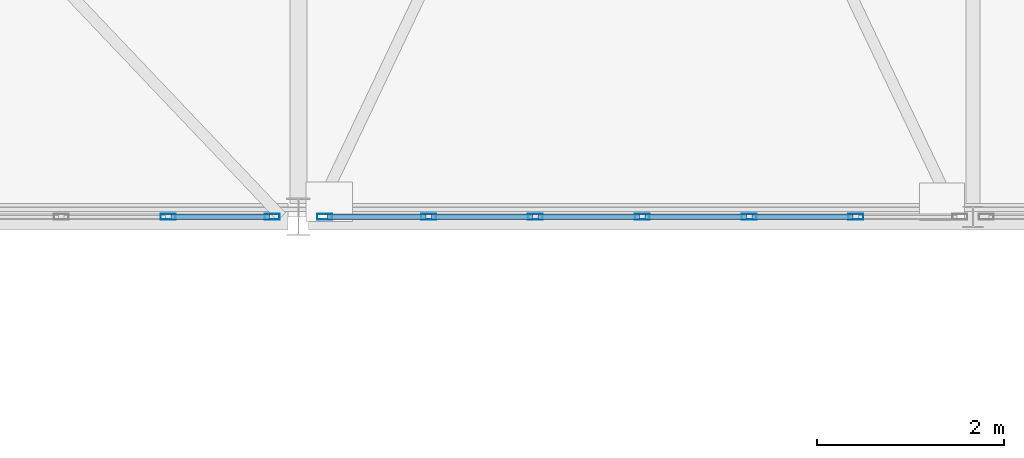
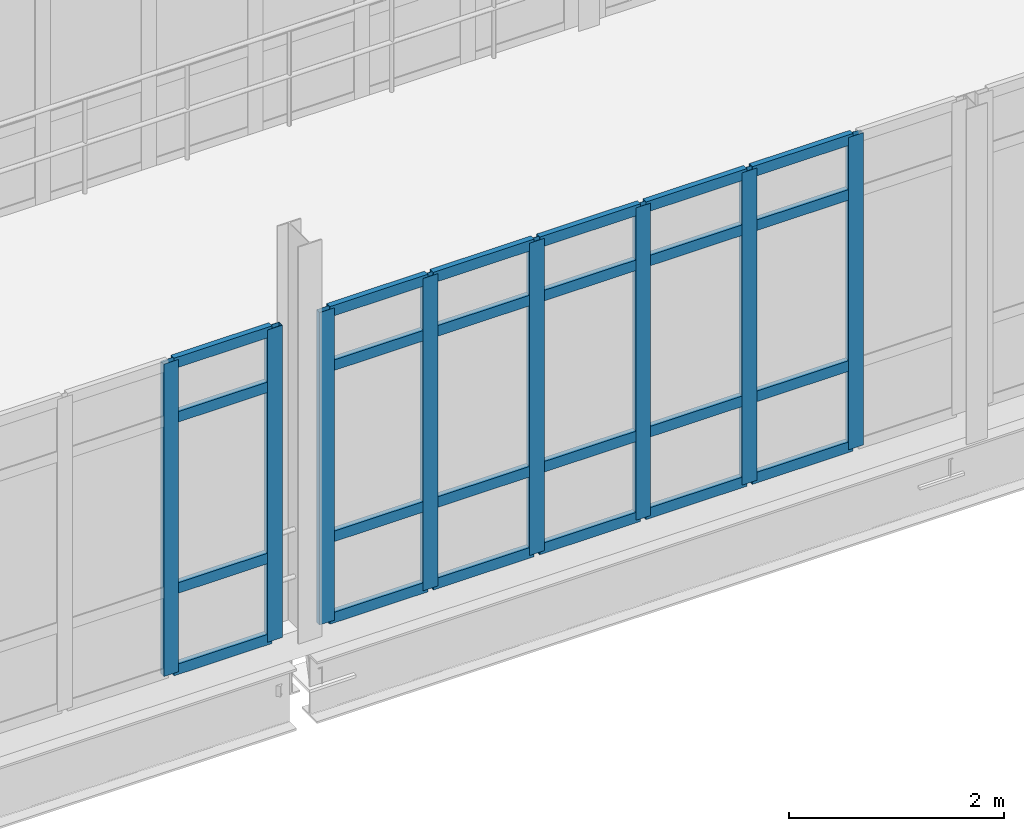
# One storey, part 42 of 116: 32 members, 2 elements without a shape of their own.
"""IFC4 building model written with IfcOpenShell, lengths in metres."""

from ifc_helpers import new_model, si_unit, direction, frame, origin, origin_2d, place, context, subcontext, project, spatial, hollow_rectangle, extrude, material, material_profile, profile_set, type_object, element, aggregate, save


model = new_model("IFC4")

# Units and contexts
model_context = context("Model", 3, precision=1e-05, world=origin(), true_north=direction((0.0, 1.0)))
body_context = subcontext(model_context, "Body", "Model", "MODEL_VIEW")
ifc_project = project(units=[si_unit("LENGTHUNIT", "METRE"), si_unit("AREAUNIT", "SQUARE_METRE"), si_unit("VOLUMEUNIT", "CUBIC_METRE"), si_unit("PLANEANGLEUNIT", "RADIAN"), si_unit("MASSUNIT", "GRAM", prefix="KILO")], contexts=[model_context])

# Site, building, storey
site_placement = place(None, origin())
site = spatial("IfcSite", under=ifc_project, at=site_placement, CompositionType="ELEMENT")
building_placement = place(site_placement, origin())
building = spatial("IfcBuilding", under=site, at=building_placement, Name="Kalluvel Institute of Natural Sciences", CompositionType="ELEMENT")
storey_placement = place(building_placement, frame((0.0, 0.0, 14.39990234375)))
storey = spatial("IfcBuildingStorey", under=building, at=storey_placement, Name="L03", CompositionType="ELEMENT", Elevation=14.39990234375)

# Curtain wall, members
ifc_material = material(Name="Aluminium AW-6063 T6", Category="aluminium")
curtain_wall_type = type_object("IfcCurtainWallType", Name="CW-BRG-45", PredefinedType="USERDEFINED", material=ifc_material)
curtain_wall_1_placement = place(storey_placement, origin())
curtain_wall_1 = element("IfcCurtainWall", 1, at=curtain_wall_1_placement, inside=storey, type_object=curtain_wall_type, Name="L03 Gothic lancet curtain wall CWA-L03-X717-Y284", ObjectType="UNITISED LANCET FACADE", PredefinedType="USERDEFINED")
ifc_material_profile_1 = material_profile(ifc_material, hollow_rectangle(XDim=0.06005859375, YDim=0.159912109375, WallThickness=0.00390625, at=origin_2d()), Name="CWM 60x160")
ifc_profile_set_1 = profile_set([ifc_material_profile_1], Name="Aluminium AW-6063 T6")
member_type_1 = type_object("IfcMemberType", Name="CWM-60x160", PredefinedType="MULLION", material=ifc_profile_set_1)
member_1_placement = place(storey_placement, frame((77.409912109375, 28.39990234375, 0.0), z_axis=(0.0, 0.0, 1.0), x_axis=(0.0, 1.0, 0.0)))
member_1 = element("IfcMember", 2, at=member_1_placement, type_object=member_type_1, Name="CW-07 mullion 6", PredefinedType="MULLION", context=body_context, shape_type="SweptSolid", body=[
    extrude(hollow_rectangle(XDim=0.06005859375, YDim=0.159912109375, WallThickness=0.00390625, at=origin_2d()), origin(), (0.0, 0.0, 1.0), 3.5400390625),
])
member_2_placement = place(storey_placement, frame((78.52001953125, 28.39990234375, 0.0), z_axis=(0.0, 0.0, 1.0), x_axis=(0.0, 1.0, 0.0)))
member_2 = element("IfcMember", 3, at=member_2_placement, type_object=member_type_1, Name="CW-07 mullion 7", PredefinedType="MULLION", context=body_context, shape_type="SweptSolid", body=[
    extrude(hollow_rectangle(XDim=0.06005859375, YDim=0.159912109375, WallThickness=0.00390625, at=origin_2d()), origin(), (0.0, 0.0, 1.0), 3.5400390625),
])

curtain_wall_2_placement = place(storey_placement, origin())
curtain_wall_2 = element("IfcCurtainWall", 4, at=curtain_wall_2_placement, inside=storey, type_object=curtain_wall_type, Name="L03 Gothic lancet curtain wall CWA-L03-X790-Y284", ObjectType="UNITISED LANCET FACADE", PredefinedType="USERDEFINED")
member_3_placement = place(storey_placement, frame((79.080078125, 28.39990234375, 0.0), z_axis=(0.0, 0.0, 1.0), x_axis=(0.0, 1.0, 0.0)))
member_3 = element("IfcMember", 5, at=member_3_placement, type_object=member_type_1, Name="CW-07 mullion 1", PredefinedType="MULLION", context=body_context, shape_type="SweptSolid", body=[
    extrude(hollow_rectangle(XDim=0.06005859375, YDim=0.159912109375, WallThickness=0.00390625, at=origin_2d()), origin(), (0.0, 0.0, 1.0), 3.5400390625),
])
member_4_placement = place(storey_placement, frame((80.18994140625, 28.39990234375, 0.0), z_axis=(0.0, 0.0, 1.0), x_axis=(0.0, 1.0, 0.0)))
member_4 = element("IfcMember", 6, at=member_4_placement, type_object=member_type_1, Name="CW-07 mullion 2", PredefinedType="MULLION", context=body_context, shape_type="SweptSolid", body=[
    extrude(hollow_rectangle(XDim=0.06005859375, YDim=0.159912109375, WallThickness=0.00390625, at=origin_2d()), origin(), (0.0, 0.0, 1.0), 3.5400390625),
])
member_5_placement = place(storey_placement, frame((81.330078125, 28.39990234375, 0.0), z_axis=(0.0, 0.0, 1.0), x_axis=(0.0, 1.0, 0.0)))
member_5 = element("IfcMember", 7, at=member_5_placement, type_object=member_type_1, Name="CW-07 mullion 3", PredefinedType="MULLION", context=body_context, shape_type="SweptSolid", body=[
    extrude(hollow_rectangle(XDim=0.06005859375, YDim=0.159912109375, WallThickness=0.00390625, at=origin_2d()), origin(), (0.0, 0.0, 1.0), 3.5400390625),
])
member_6_placement = place(storey_placement, frame((82.469970703125, 28.39990234375, 0.0), z_axis=(0.0, 0.0, 1.0), x_axis=(0.0, 1.0, 0.0)))
member_6 = element("IfcMember", 8, at=member_6_placement, type_object=member_type_1, Name="CW-07 mullion 4", PredefinedType="MULLION", context=body_context, shape_type="SweptSolid", body=[
    extrude(hollow_rectangle(XDim=0.06005859375, YDim=0.159912109375, WallThickness=0.00390625, at=origin_2d()), origin(), (0.0, 0.0, 1.0), 3.5400390625),
])
member_7_placement = place(storey_placement, frame((83.610107421875, 28.39990234375, 0.0), z_axis=(0.0, 0.0, 1.0), x_axis=(0.0, 1.0, 0.0)))
member_7 = element("IfcMember", 9, at=member_7_placement, type_object=member_type_1, Name="CW-07 mullion 5", PredefinedType="MULLION", context=body_context, shape_type="SweptSolid", body=[
    extrude(hollow_rectangle(XDim=0.06005859375, YDim=0.159912109375, WallThickness=0.00390625, at=origin_2d()), origin(), (0.0, 0.0, 1.0), 3.5400390625),
])
member_8_placement = place(storey_placement, frame((84.75, 28.39990234375, 0.0), z_axis=(0.0, 0.0, 1.0), x_axis=(0.0, 1.0, 0.0)))
member_8 = element("IfcMember", 10, at=member_8_placement, type_object=member_type_1, Name="CW-07 mullion 6", PredefinedType="MULLION", context=body_context, shape_type="SweptSolid", body=[
    extrude(hollow_rectangle(XDim=0.06005859375, YDim=0.159912109375, WallThickness=0.00390625, at=origin_2d()), origin(), (0.0, 0.0, 1.0), 3.5400390625),
])

# Member
ifc_material_profile_2 = material_profile(ifc_material, hollow_rectangle(XDim=0.06005859375, YDim=0.1201171875, WallThickness=0.00390625, at=origin_2d()), Name="CWT 60x120")
ifc_profile_set_2 = profile_set([ifc_material_profile_2], Name="Aluminium AW-6063 T6")
member_type_2 = type_object("IfcMemberType", Name="CWT-60x120", PredefinedType="USERDEFINED", material=ifc_profile_set_2)
member_9_placement = place(storey_placement, frame((77.43994140625, 28.39990234375, 0.030029296875), z_axis=(1.0, 0.0, 0.0), x_axis=(0.0, 1.0, 0.0)))
member_9 = element("IfcMember", 11, at=member_9_placement, type_object=member_type_2, Name="CW-07 transom 6.1", ObjectType="TRANSOM", PredefinedType="USERDEFINED", context=body_context, shape_type="SweptSolid", body=[
    extrude(hollow_rectangle(XDim=0.06005859375, YDim=0.1201171875, WallThickness=0.00390625, at=origin_2d()), origin(), (0.0, 0.0, 1.0), 1.050048828125),
])

member_10_placement = place(storey_placement, frame((77.43994140625, 28.39990234375, 0.9501953125), z_axis=(1.0, 0.0, 0.0), x_axis=(0.0, 1.0, 0.0)))
member_10 = element("IfcMember", 12, at=member_10_placement, type_object=member_type_2, Name="CW-07 transom 6.2", ObjectType="TRANSOM", PredefinedType="USERDEFINED", context=body_context, shape_type="SweptSolid", body=[
    extrude(hollow_rectangle(XDim=0.06005859375, YDim=0.1201171875, WallThickness=0.00390625, at=origin_2d()), origin(), (0.0, 0.0, 1.0), 1.050048828125),
])

member_11_placement = place(storey_placement, frame((77.43994140625, 28.39990234375, 2.89013671875), z_axis=(1.0, 0.0, 0.0), x_axis=(0.0, 1.0, 0.0)))
member_11 = element("IfcMember", 13, at=member_11_placement, type_object=member_type_2, Name="CW-07 transom 6.3", ObjectType="TRANSOM", PredefinedType="USERDEFINED", context=body_context, shape_type="SweptSolid", body=[
    extrude(hollow_rectangle(XDim=0.06005859375, YDim=0.1201171875, WallThickness=0.00390625, at=origin_2d()), origin(), (0.0, 0.0, 1.0), 1.050048828125),
])

member_12_placement = place(storey_placement, frame((77.43994140625, 28.39990234375, 3.510009765625), z_axis=(1.0, 0.0, 0.0), x_axis=(0.0, 1.0, 0.0)))
member_12 = element("IfcMember", 14, at=member_12_placement, type_object=member_type_2, Name="CW-07 transom 6.4", ObjectType="TRANSOM", PredefinedType="USERDEFINED", context=body_context, shape_type="SweptSolid", body=[
    extrude(hollow_rectangle(XDim=0.06005859375, YDim=0.1201171875, WallThickness=0.00390625, at=origin_2d()), origin(), (0.0, 0.0, 1.0), 1.050048828125),
])

aggregate(curtain_wall_1, [member_1, member_2, member_9, member_10, member_11, member_12])

member_13_placement = place(storey_placement, frame((79.110107421875, 28.39990234375, 0.030029296875), z_axis=(1.0, 0.0, 0.0), x_axis=(0.0, 1.0, 0.0)))
member_13 = element("IfcMember", 15, at=member_13_placement, type_object=member_type_2, Name="CW-07 transom 1.1", ObjectType="TRANSOM", PredefinedType="USERDEFINED", context=body_context, shape_type="SweptSolid", body=[
    extrude(hollow_rectangle(XDim=0.06005859375, YDim=0.1201171875, WallThickness=0.00390625, at=origin_2d()), origin(), (0.0, 0.0, 1.0), 1.0498046875),
])

member_14_placement = place(storey_placement, frame((79.110107421875, 28.39990234375, 0.9501953125), z_axis=(1.0, 0.0, 0.0), x_axis=(0.0, 1.0, 0.0)))
member_14 = element("IfcMember", 16, at=member_14_placement, type_object=member_type_2, Name="CW-07 transom 1.2", ObjectType="TRANSOM", PredefinedType="USERDEFINED", context=body_context, shape_type="SweptSolid", body=[
    extrude(hollow_rectangle(XDim=0.06005859375, YDim=0.1201171875, WallThickness=0.00390625, at=origin_2d()), origin(), (0.0, 0.0, 1.0), 1.0498046875),
])

member_15_placement = place(storey_placement, frame((79.110107421875, 28.39990234375, 2.89013671875), z_axis=(1.0, 0.0, 0.0), x_axis=(0.0, 1.0, 0.0)))
member_15 = element("IfcMember", 17, at=member_15_placement, type_object=member_type_2, Name="CW-07 transom 1.3", ObjectType="TRANSOM", PredefinedType="USERDEFINED", context=body_context, shape_type="SweptSolid", body=[
    extrude(hollow_rectangle(XDim=0.06005859375, YDim=0.1201171875, WallThickness=0.00390625, at=origin_2d()), origin(), (0.0, 0.0, 1.0), 1.0498046875),
])

member_16_placement = place(storey_placement, frame((79.110107421875, 28.39990234375, 3.510009765625), z_axis=(1.0, 0.0, 0.0), x_axis=(0.0, 1.0, 0.0)))
member_16 = element("IfcMember", 18, at=member_16_placement, type_object=member_type_2, Name="CW-07 transom 1.4", ObjectType="TRANSOM", PredefinedType="USERDEFINED", context=body_context, shape_type="SweptSolid", body=[
    extrude(hollow_rectangle(XDim=0.06005859375, YDim=0.1201171875, WallThickness=0.00390625, at=origin_2d()), origin(), (0.0, 0.0, 1.0), 1.0498046875),
])

member_17_placement = place(storey_placement, frame((80.219970703125, 28.39990234375, 0.030029296875), z_axis=(1.0, 0.0, 0.0), x_axis=(0.0, 1.0, 0.0)))
member_17 = element("IfcMember", 19, at=member_17_placement, type_object=member_type_2, Name="CW-07 transom 2.1", ObjectType="TRANSOM", PredefinedType="USERDEFINED", context=body_context, shape_type="SweptSolid", body=[
    extrude(hollow_rectangle(XDim=0.06005859375, YDim=0.1201171875, WallThickness=0.00390625, at=origin_2d()), origin(), (0.0, 0.0, 1.0), 1.080078125),
])

member_18_placement = place(storey_placement, frame((80.219970703125, 28.39990234375, 0.9501953125), z_axis=(1.0, 0.0, 0.0), x_axis=(0.0, 1.0, 0.0)))
member_18 = element("IfcMember", 20, at=member_18_placement, type_object=member_type_2, Name="CW-07 transom 2.2", ObjectType="TRANSOM", PredefinedType="USERDEFINED", context=body_context, shape_type="SweptSolid", body=[
    extrude(hollow_rectangle(XDim=0.06005859375, YDim=0.1201171875, WallThickness=0.00390625, at=origin_2d()), origin(), (0.0, 0.0, 1.0), 1.080078125),
])

member_19_placement = place(storey_placement, frame((80.219970703125, 28.39990234375, 2.89013671875), z_axis=(1.0, 0.0, 0.0), x_axis=(0.0, 1.0, 0.0)))
member_19 = element("IfcMember", 21, at=member_19_placement, type_object=member_type_2, Name="CW-07 transom 2.3", ObjectType="TRANSOM", PredefinedType="USERDEFINED", context=body_context, shape_type="SweptSolid", body=[
    extrude(hollow_rectangle(XDim=0.06005859375, YDim=0.1201171875, WallThickness=0.00390625, at=origin_2d()), origin(), (0.0, 0.0, 1.0), 1.080078125),
])

member_20_placement = place(storey_placement, frame((80.219970703125, 28.39990234375, 3.510009765625), z_axis=(1.0, 0.0, 0.0), x_axis=(0.0, 1.0, 0.0)))
member_20 = element("IfcMember", 22, at=member_20_placement, type_object=member_type_2, Name="CW-07 transom 2.4", ObjectType="TRANSOM", PredefinedType="USERDEFINED", context=body_context, shape_type="SweptSolid", body=[
    extrude(hollow_rectangle(XDim=0.06005859375, YDim=0.1201171875, WallThickness=0.00390625, at=origin_2d()), origin(), (0.0, 0.0, 1.0), 1.080078125),
])

member_21_placement = place(storey_placement, frame((81.360107421875, 28.39990234375, 0.030029296875), z_axis=(1.0, 0.0, 0.0), x_axis=(0.0, 1.0, 0.0)))
member_21 = element("IfcMember", 23, at=member_21_placement, type_object=member_type_2, Name="CW-07 transom 3.1", ObjectType="TRANSOM", PredefinedType="USERDEFINED", context=body_context, shape_type="SweptSolid", body=[
    extrude(hollow_rectangle(XDim=0.06005859375, YDim=0.1201171875, WallThickness=0.00390625, at=origin_2d()), origin(), (0.0, 0.0, 1.0), 1.079833984375),
])

member_22_placement = place(storey_placement, frame((81.360107421875, 28.39990234375, 0.9501953125), z_axis=(1.0, 0.0, 0.0), x_axis=(0.0, 1.0, 0.0)))
member_22 = element("IfcMember", 24, at=member_22_placement, type_object=member_type_2, Name="CW-07 transom 3.2", ObjectType="TRANSOM", PredefinedType="USERDEFINED", context=body_context, shape_type="SweptSolid", body=[
    extrude(hollow_rectangle(XDim=0.06005859375, YDim=0.1201171875, WallThickness=0.00390625, at=origin_2d()), origin(), (0.0, 0.0, 1.0), 1.079833984375),
])

member_23_placement = place(storey_placement, frame((81.360107421875, 28.39990234375, 2.89013671875), z_axis=(1.0, 0.0, 0.0), x_axis=(0.0, 1.0, 0.0)))
member_23 = element("IfcMember", 25, at=member_23_placement, type_object=member_type_2, Name="CW-07 transom 3.3", ObjectType="TRANSOM", PredefinedType="USERDEFINED", context=body_context, shape_type="SweptSolid", body=[
    extrude(hollow_rectangle(XDim=0.06005859375, YDim=0.1201171875, WallThickness=0.00390625, at=origin_2d()), origin(), (0.0, 0.0, 1.0), 1.079833984375),
])

member_24_placement = place(storey_placement, frame((81.360107421875, 28.39990234375, 3.510009765625), z_axis=(1.0, 0.0, 0.0), x_axis=(0.0, 1.0, 0.0)))
member_24 = element("IfcMember", 26, at=member_24_placement, type_object=member_type_2, Name="CW-07 transom 3.4", ObjectType="TRANSOM", PredefinedType="USERDEFINED", context=body_context, shape_type="SweptSolid", body=[
    extrude(hollow_rectangle(XDim=0.06005859375, YDim=0.1201171875, WallThickness=0.00390625, at=origin_2d()), origin(), (0.0, 0.0, 1.0), 1.079833984375),
])

member_25_placement = place(storey_placement, frame((82.5, 28.39990234375, 0.030029296875), z_axis=(1.0, 0.0, 0.0), x_axis=(0.0, 1.0, 0.0)))
member_25 = element("IfcMember", 27, at=member_25_placement, type_object=member_type_2, Name="CW-07 transom 4.1", ObjectType="TRANSOM", PredefinedType="USERDEFINED", context=body_context, shape_type="SweptSolid", body=[
    extrude(hollow_rectangle(XDim=0.06005859375, YDim=0.1201171875, WallThickness=0.00390625, at=origin_2d()), origin(), (0.0, 0.0, 1.0), 1.080078125),
])

member_26_placement = place(storey_placement, frame((82.5, 28.39990234375, 0.9501953125), z_axis=(1.0, 0.0, 0.0), x_axis=(0.0, 1.0, 0.0)))
member_26 = element("IfcMember", 28, at=member_26_placement, type_object=member_type_2, Name="CW-07 transom 4.2", ObjectType="TRANSOM", PredefinedType="USERDEFINED", context=body_context, shape_type="SweptSolid", body=[
    extrude(hollow_rectangle(XDim=0.06005859375, YDim=0.1201171875, WallThickness=0.00390625, at=origin_2d()), origin(), (0.0, 0.0, 1.0), 1.080078125),
])

member_27_placement = place(storey_placement, frame((82.5, 28.39990234375, 2.89013671875), z_axis=(1.0, 0.0, 0.0), x_axis=(0.0, 1.0, 0.0)))
member_27 = element("IfcMember", 29, at=member_27_placement, type_object=member_type_2, Name="CW-07 transom 4.3", ObjectType="TRANSOM", PredefinedType="USERDEFINED", context=body_context, shape_type="SweptSolid", body=[
    extrude(hollow_rectangle(XDim=0.06005859375, YDim=0.1201171875, WallThickness=0.00390625, at=origin_2d()), origin(), (0.0, 0.0, 1.0), 1.080078125),
])

member_28_placement = place(storey_placement, frame((82.5, 28.39990234375, 3.510009765625), z_axis=(1.0, 0.0, 0.0), x_axis=(0.0, 1.0, 0.0)))
member_28 = element("IfcMember", 30, at=member_28_placement, type_object=member_type_2, Name="CW-07 transom 4.4", ObjectType="TRANSOM", PredefinedType="USERDEFINED", context=body_context, shape_type="SweptSolid", body=[
    extrude(hollow_rectangle(XDim=0.06005859375, YDim=0.1201171875, WallThickness=0.00390625, at=origin_2d()), origin(), (0.0, 0.0, 1.0), 1.080078125),
])

member_29_placement = place(storey_placement, frame((83.639892578125, 28.39990234375, 0.030029296875), z_axis=(1.0, 0.0, 0.0), x_axis=(0.0, 1.0, 0.0)))
member_29 = element("IfcMember", 31, at=member_29_placement, type_object=member_type_2, Name="CW-07 transom 5.1", ObjectType="TRANSOM", PredefinedType="USERDEFINED", context=body_context, shape_type="SweptSolid", body=[
    extrude(hollow_rectangle(XDim=0.06005859375, YDim=0.1201171875, WallThickness=0.00390625, at=origin_2d()), origin(), (0.0, 0.0, 1.0), 1.080078125),
])

member_30_placement = place(storey_placement, frame((83.639892578125, 28.39990234375, 0.9501953125), z_axis=(1.0, 0.0, 0.0), x_axis=(0.0, 1.0, 0.0)))
member_30 = element("IfcMember", 32, at=member_30_placement, type_object=member_type_2, Name="CW-07 transom 5.2", ObjectType="TRANSOM", PredefinedType="USERDEFINED", context=body_context, shape_type="SweptSolid", body=[
    extrude(hollow_rectangle(XDim=0.06005859375, YDim=0.1201171875, WallThickness=0.00390625, at=origin_2d()), origin(), (0.0, 0.0, 1.0), 1.080078125),
])

member_31_placement = place(storey_placement, frame((83.639892578125, 28.39990234375, 2.89013671875), z_axis=(1.0, 0.0, 0.0), x_axis=(0.0, 1.0, 0.0)))
member_31 = element("IfcMember", 33, at=member_31_placement, type_object=member_type_2, Name="CW-07 transom 5.3", ObjectType="TRANSOM", PredefinedType="USERDEFINED", context=body_context, shape_type="SweptSolid", body=[
    extrude(hollow_rectangle(XDim=0.06005859375, YDim=0.1201171875, WallThickness=0.00390625, at=origin_2d()), origin(), (0.0, 0.0, 1.0), 1.080078125),
])

member_32_placement = place(storey_placement, frame((83.639892578125, 28.39990234375, 3.510009765625), z_axis=(1.0, 0.0, 0.0), x_axis=(0.0, 1.0, 0.0)))
member_32 = element("IfcMember", 34, at=member_32_placement, type_object=member_type_2, Name="CW-07 transom 5.4", ObjectType="TRANSOM", PredefinedType="USERDEFINED", context=body_context, shape_type="SweptSolid", body=[
    extrude(hollow_rectangle(XDim=0.06005859375, YDim=0.1201171875, WallThickness=0.00390625, at=origin_2d()), origin(), (0.0, 0.0, 1.0), 1.080078125),
])

aggregate(curtain_wall_2, [member_3, member_4, member_5, member_6, member_7, member_8, member_13, member_14, member_15, member_16, member_17, member_18, member_19, member_20, member_21, member_22, member_23, member_24, member_25, member_26, member_27, member_28, member_29, member_30, member_31, member_32])

save(model, "model.ifc")
